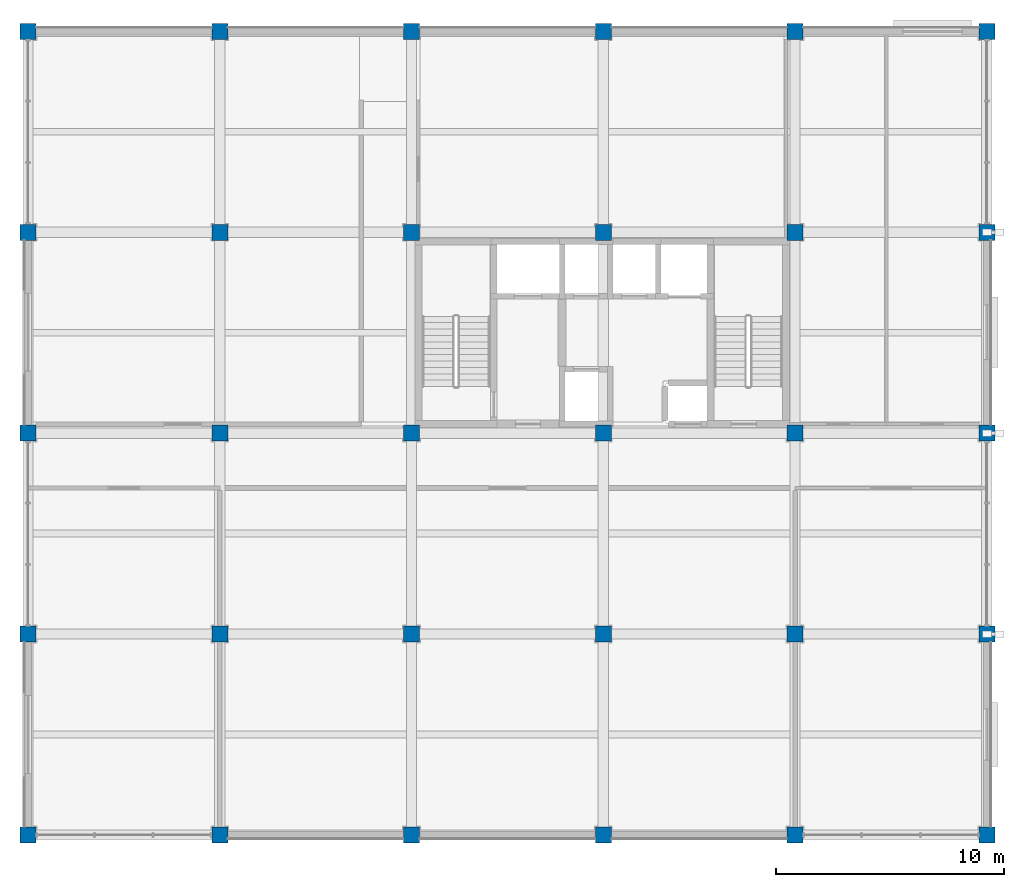
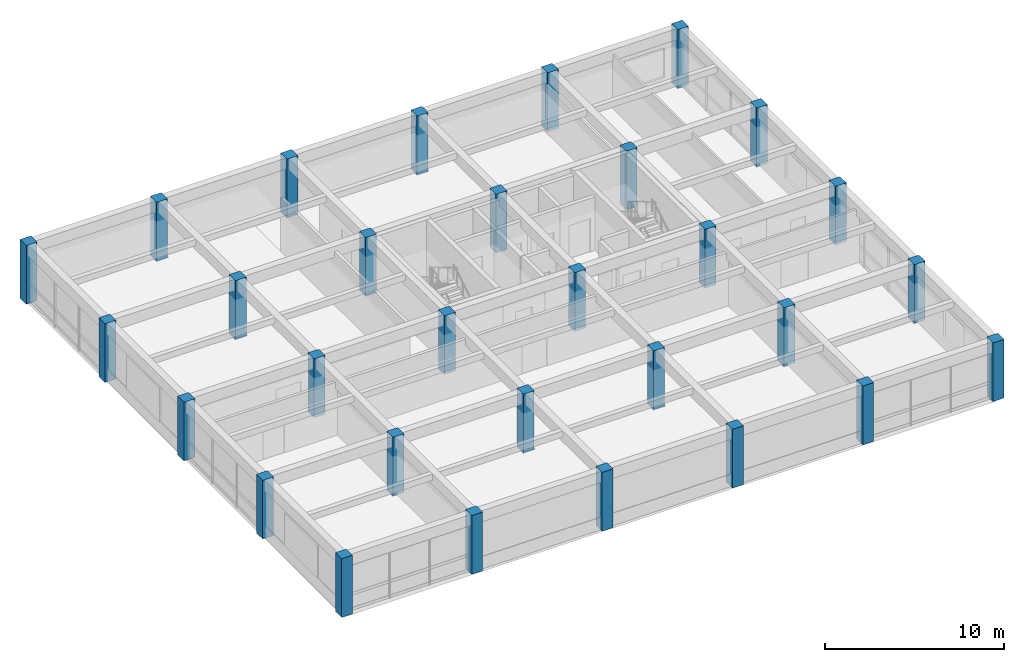
# One storey, part 1 of 14: 30 columns.
"""IFC4 building model written with IfcOpenShell, lengths in metres."""

from ifc_helpers import new_model, si_unit, direction, frame, origin, origin_2d, place, context, subcontext, project, spatial, rectangle, extrude, material, material_profile, profile_set, type_object, element, save


model = new_model("IFC4")

# Units and contexts
model_context = context("Model", 3, precision=1e-05, world=origin(), true_north=direction((0.0, 1.0)))
body_context = subcontext(model_context, "Body", "Model", "MODEL_VIEW")
ifc_project = project(units=[si_unit("LENGTHUNIT", "METRE"), si_unit("AREAUNIT", "SQUARE_METRE"), si_unit("VOLUMEUNIT", "CUBIC_METRE"), si_unit("PLANEANGLEUNIT", "RADIAN"), si_unit("MASSUNIT", "GRAM", prefix="KILO")], contexts=[model_context])

# Site, building, storey
site_placement = place(None, origin())
site = spatial("IfcSite", under=ifc_project, at=site_placement, CompositionType="ELEMENT")
building_placement = place(site_placement, origin())
building = spatial("IfcBuilding", under=site, at=building_placement, Name="Kemercrest Conservatory and Botanical Centre", CompositionType="ELEMENT")
storey_placement = place(building_placement, frame((0.0, 0.0, 32.800048828125)))
storey = spatial("IfcBuildingStorey", under=building, at=storey_placement, Name="L08", CompositionType="ELEMENT", Elevation=32.800048828125)

# Columns
ifc_material = material(Name="Concrete C50/60", Category="concrete")
ifc_material_profile = material_profile(ifc_material, rectangle(XDim=0.699951171875, YDim=0.699951171875, at=origin_2d()), Name="RC 700x700")
ifc_profile_set = profile_set([ifc_material_profile], Name="Concrete C50/60")
column_type = type_object("IfcColumnType", Name="C-RC70", PredefinedType="COLUMN", material=ifc_profile_set)
for number, where, z_axis, x_axis, name in (
    (1, (134.0, 87.199951171875, 0.0), (0.0, 0.0, 1.0), (1.0, 0.0, 0.0), "Tower column C-RC70 16/K"),
    (2, (134.0, 96.0, 0.0), (0.0, 0.0, 1.0), (1.0, 0.0, 0.0), "Tower column C-RC70 16/L"),
    (3, (134.0, 104.800048828125, 0.0), (0.0, 0.0, 1.0), (1.0, 0.0, 0.0), "Tower column C-RC70 16/M"),
    (4, (134.0, 113.60009765625, 0.0), (0.0, 0.0, 1.0), (1.0, 0.0, 0.0), "Tower column C-RC70 16/N"),
    (5, (134.0, 122.39990234375, 0.0), (0.0, 0.0, 1.0), (1.0, 0.0, 0.0), "Tower column C-RC70 16/P"),
    (6, (142.39990234375, 87.199951171875, 0.0), (0.0, 0.0, 1.0), (1.0, 0.0, 0.0), "Tower column C-RC70 17/K"),
    (7, (142.39990234375, 96.0, 0.0), (0.0, 0.0, 1.0), (1.0, 0.0, 0.0), "Tower column C-RC70 17/L"),
    (8, (142.39990234375, 104.800048828125, 0.0), (0.0, 0.0, 1.0), (1.0, 0.0, 0.0), "Tower column C-RC70 17/M"),
    (9, (142.39990234375, 113.60009765625, 0.0), (0.0, 0.0, 1.0), (1.0, 0.0, 0.0), "Tower column C-RC70 17/N"),
    (10, (142.39990234375, 122.39990234375, 0.0), (0.0, 0.0, 1.0), (1.0, 0.0, 0.0), "Tower column C-RC70 17/P"),
    (11, (150.800048828125, 87.199951171875, 0.0), (0.0, 0.0, 1.0), (1.0, 0.0, 0.0), "Tower column C-RC70 18/K"),
    (12, (150.800048828125, 96.0, 0.0), (0.0, 0.0, 1.0), (1.0, 0.0, 0.0), "Tower column C-RC70 18/L"),
    (13, (150.800048828125, 104.800048828125, 0.0), (0.0, 0.0, 1.0), (1.0, 0.0, 0.0), "Tower column C-RC70 18/M"),
    (14, (150.800048828125, 113.60009765625, 0.0), (0.0, 0.0, 1.0), (1.0, 0.0, 0.0), "Tower column C-RC70 18/N"),
    (15, (150.800048828125, 122.39990234375, 0.0), (0.0, 0.0, 1.0), (1.0, 0.0, 0.0), "Tower column C-RC70 18/P"),
    (16, (159.199951171875, 87.199951171875, 0.0), (0.0, 0.0, 1.0), (1.0, 0.0, 0.0), "Tower column C-RC70 19/K"),
    (17, (159.199951171875, 96.0, 0.0), (0.0, 0.0, 1.0), (1.0, 0.0, 0.0), "Tower column C-RC70 19/L"),
    (18, (159.199951171875, 104.800048828125, 0.0), (0.0, 0.0, 1.0), (1.0, 0.0, 0.0), "Tower column C-RC70 19/M"),
    (19, (159.199951171875, 113.60009765625, 0.0), (0.0, 0.0, 1.0), (1.0, 0.0, 0.0), "Tower column C-RC70 19/N"),
    (20, (159.199951171875, 122.39990234375, 0.0), (0.0, 0.0, 1.0), (1.0, 0.0, 0.0), "Tower column C-RC70 19/P"),
    (21, (167.60009765625, 87.199951171875, 0.0), (0.0, 0.0, 1.0), (1.0, 0.0, 0.0), "Tower column C-RC70 20/K"),
    (22, (167.60009765625, 96.0, 0.0), (0.0, 0.0, 1.0), (1.0, 0.0, 0.0), "Tower column C-RC70 20/L"),
    (23, (167.60009765625, 104.800048828125, 0.0), (0.0, 0.0, 1.0), (1.0, 0.0, 0.0), "Tower column C-RC70 20/M"),
    (24, (167.60009765625, 113.60009765625, 0.0), (0.0, 0.0, 1.0), (1.0, 0.0, 0.0), "Tower column C-RC70 20/N"),
    (25, (167.60009765625, 122.39990234375, 0.0), (0.0, 0.0, 1.0), (1.0, 0.0, 0.0), "Tower column C-RC70 20/P"),
    (26, (176.0, 87.199951171875, 0.0), (0.0, 0.0, 1.0), (1.0, 0.0, 0.0), "Tower column C-RC70 21/K"),
    (27, (176.0, 96.0, 0.0), (0.0, 0.0, 1.0), (1.0, 0.0, 0.0), "Tower column C-RC70 21/L"),
    (28, (176.0, 104.800048828125, 0.0), (0.0, 0.0, 1.0), (1.0, 0.0, 0.0), "Tower column C-RC70 21/M"),
    (29, (176.0, 113.60009765625, 0.0), (0.0, 0.0, 1.0), (1.0, 0.0, 0.0), "Tower column C-RC70 21/N"),
    (30, (176.0, 122.39990234375, 0.0), (0.0, 0.0, 1.0), (1.0, 0.0, 0.0), "Tower column C-RC70 21/P"),
):
    element("IfcColumn", number, at=place(storey_placement, frame(where, z_axis=z_axis, x_axis=x_axis)), inside=storey, type_object=column_type, Name=name, PredefinedType="COLUMN", context=body_context, shape_type="SweptSolid", body=[
        extrude(rectangle(XDim=0.699951171875, YDim=0.699951171875, at=origin_2d()), origin(), (0.0, 0.0, 1.0), 4.0),
    ])

save(model, "model.ifc")
